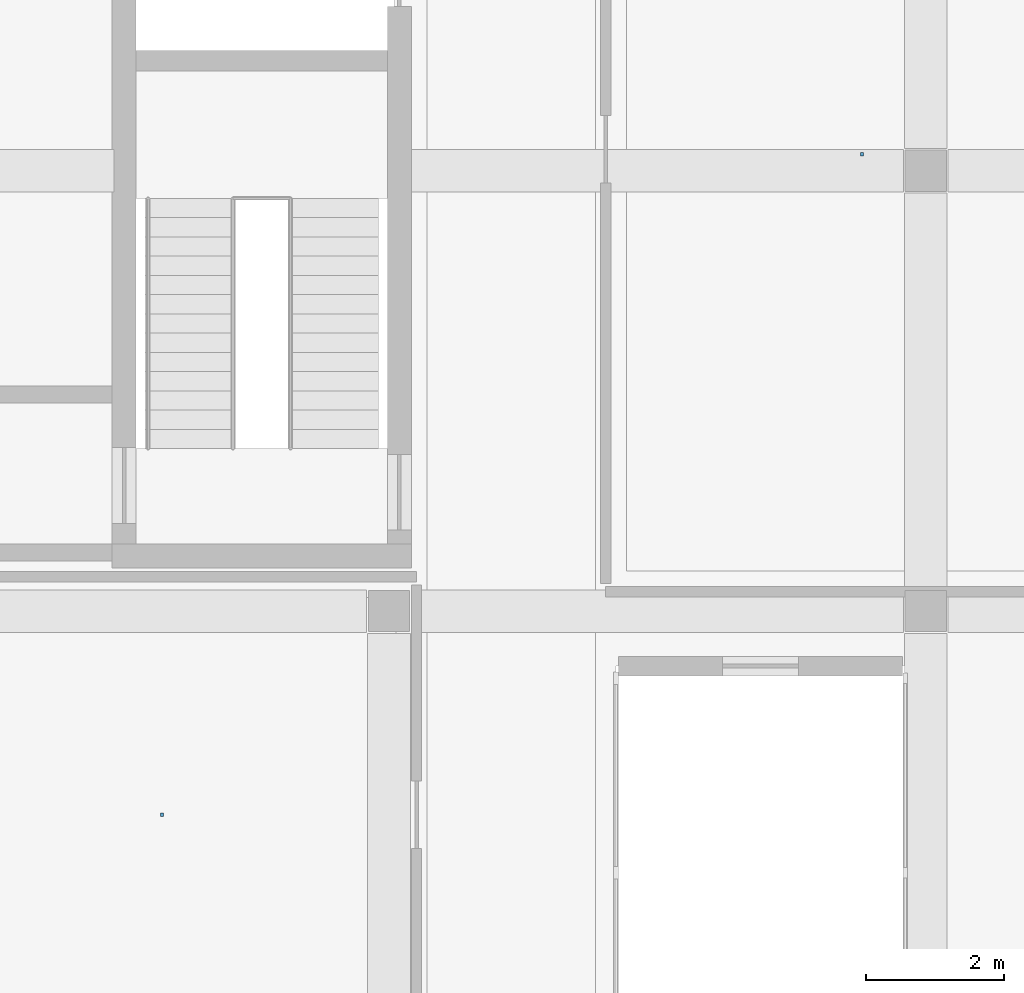
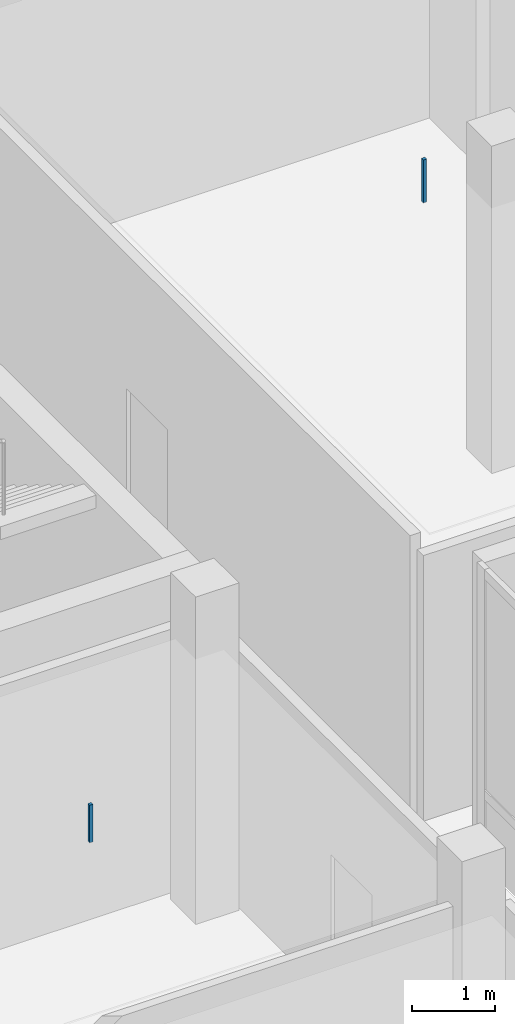
# One storey, part 60 of 88: 2 discrete accessories.
"""IFC4 building model written with IfcOpenShell, lengths in metres."""

from ifc_helpers import new_model, si_unit, derived_unit, direction, frame, origin, origin_2d, place, context, subcontext, project, spatial, rectangle, extrude, material, type_object, element, save


model = new_model("IFC4")

# Units and contexts
model_context = context("Model", 3, precision=1e-05, world=origin(), true_north=direction((0.0, 1.0)))
body_context = subcontext(model_context, "Body", "Model", "MODEL_VIEW")
ifc_project = project(units=[si_unit("LENGTHUNIT", "METRE"), si_unit("AREAUNIT", "SQUARE_METRE"), si_unit("VOLUMEUNIT", "CUBIC_METRE"), si_unit("PLANEANGLEUNIT", "RADIAN"), si_unit("MASSUNIT", "GRAM", prefix="KILO"), derived_unit("THERMALTRANSMITTANCEUNIT", [(si_unit("POWERUNIT", "WATT"), 1), (si_unit("LENGTHUNIT", "METRE"), -2), (si_unit("THERMODYNAMICTEMPERATUREUNIT", "KELVIN"), -1)])], contexts=[model_context])

# Site, building, storey
site_placement = place(None, origin())
site = spatial("IfcSite", under=ifc_project, at=site_placement, CompositionType="ELEMENT")
building_placement = place(site_placement, origin())
building = spatial("IfcBuilding", under=site, at=building_placement, Name="Braskholm Square Health Centre", CompositionType="ELEMENT")
storey_placement = place(building_placement, origin())
storey = spatial("IfcBuildingStorey", under=building, at=storey_placement, Name="L01", CompositionType="ELEMENT", Elevation=0.0)

# Discrete accessories
ifc_material = material(Name="Steel ASTM A500 Grade C", Category="steel")
discrete_accessory_type = type_object("IfcDiscreteAccessoryType", Name="CeilingSuspensionBracket", PredefinedType="BRACKET", material=ifc_material)
discrete_accessory_1_placement = place(storey_placement, frame((8.10205078125, 46.0400390625, 3.8818359375), z_axis=(0.0, 0.0, 1.0), x_axis=(1.0, 0.0, 0.0)))
element("IfcDiscreteAccessory", 1, at=discrete_accessory_1_placement, inside=storey, type_object=discrete_accessory_type, Name="Ceiling hanger bracket 0010", PredefinedType="BRACKET", context=body_context, shape_type="SweptSolid", body=[
    extrude(rectangle(XDim=0.044921875, YDim=0.044921875, at=origin_2d()), origin(), (0.0, 0.0, 1.0), 0.550048828125),
])
discrete_accessory_2_placement = place(storey_placement, frame((18.27294921875, 55.639892578125, 3.882080078125), z_axis=(0.0, 0.0, 1.0), x_axis=(1.0, 0.0, 0.0)))
element("IfcDiscreteAccessory", 2, at=discrete_accessory_2_placement, inside=storey, type_object=discrete_accessory_type, Name="Ceiling hanger bracket 0021", PredefinedType="BRACKET", context=body_context, shape_type="SweptSolid", body=[
    extrude(rectangle(XDim=0.044921875, YDim=0.044921875, at=origin_2d()), origin(), (0.0, 0.0, 1.0), 0.6298828125),
])

save(model, "model.ifc")
